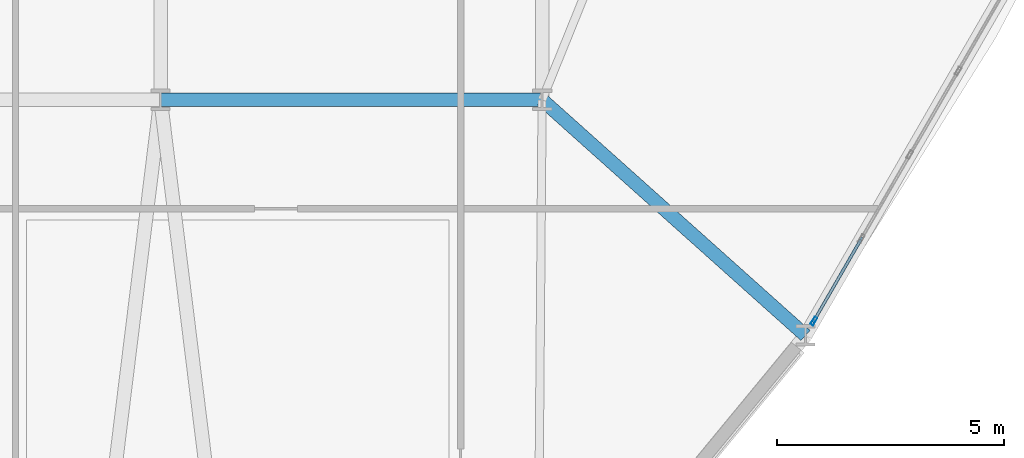
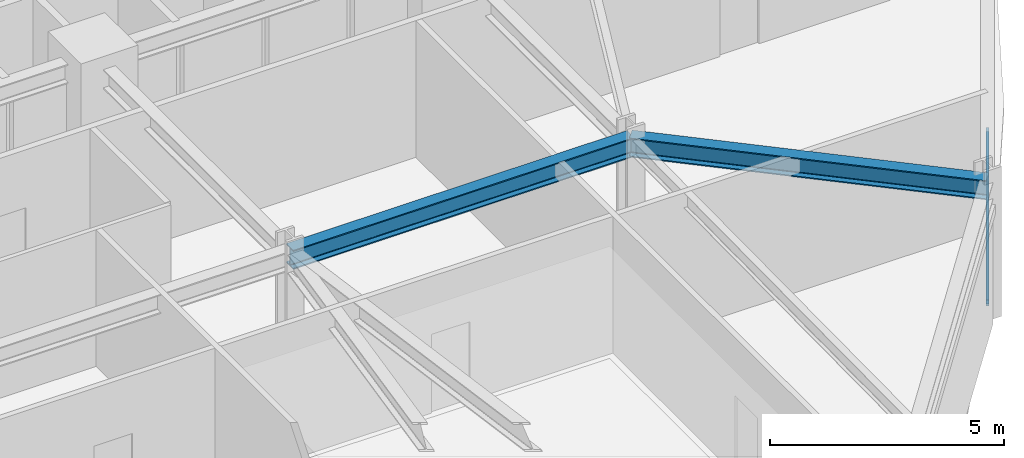
# One storey, part 6 of 22: 4 members, 2 beams, 1 element without a shape of its own.
"""IFC4 building model written with IfcOpenShell, lengths in metres."""

import ifcopenshell
import ifcopenshell.guid

model = None  # the IFC model being written
_history = None  # IfcOwnerHistory: only IFC2X3 demands one
_inside = {}  # id of a spatial element -> (the spatial element, [elements in it])
_under = {}  # id of a project, library or spatial element -> (it, [spatial elements below it])
_declared = {}  # id of a project -> (the project, [libraries it declares])
_typed = {}  # id of a type object -> (the type object, [elements of that type])
_made_of = {}  # id of a material, layer set ... -> (it, [elements and type objects made of it])


def new_model(schema):
    """Start an empty IFC model of exactly this schema.

    Asked for "IFC4X3", IfcOpenShell would pick the latest addendum, in which some entities
    have other attributes; the version numbers below select the first issue.
    IFC2X3 requires an IfcOwnerHistory on every rooted entity: one is made here for all.
    """
    global model, _history
    if schema == "IFC4X3":
        model = ifcopenshell.file(schema_version=(4, 3, 0, 0))
    else:
        model = ifcopenshell.file(schema=schema)
    _inside.clear()
    _under.clear()
    _declared.clear()
    _typed.clear()
    _made_of.clear()
    _history = None
    if model.schema == "IFC2X3":
        org = make("IfcOrganization", Name="unknown")
        user = make(
            "IfcPersonAndOrganization",
            ThePerson=make("IfcPerson", FamilyName="unknown"),
            TheOrganization=org,
        )
        app = make(
            "IfcApplication",
            ApplicationDeveloper=org,
            Version="unknown",
            ApplicationFullName="unknown",
            ApplicationIdentifier="unknown",
        )
        _history = make(
            "IfcOwnerHistory",
            OwningUser=user,
            OwningApplication=app,
            ChangeAction="ADDED",
            CreationDate=0,
        )
    return model


def make(cls, **values):
    """One entity of the class cls with the attributes given. An attribute that is None is left unset."""
    return model.create_entity(
        cls, **{name: value for name, value in values.items() if value is not None}
    )


def rooted(cls, **values):
    """An entity with a GlobalId (a new one), such as an element, a storey or a relation."""
    return make(cls, GlobalId=ifcopenshell.guid.new(), OwnerHistory=_history, **values)


def si_unit(unit_type, name, prefix=None):
    """IfcSIUnit, for example si_unit("LENGTHUNIT", "METRE", prefix="MILLI")."""
    return make("IfcSIUnit", UnitType=unit_type, Prefix=prefix, Name=name)


def derived_unit(unit_type, elements):
    """IfcDerivedUnit: a product of units, each with its exponent."""
    return make(
        "IfcDerivedUnit",
        Elements=[
            make("IfcDerivedUnitElement", Unit=unit, Exponent=power)
            for unit, power in elements
        ],
        UnitType=unit_type,
    )


def assignment(units):
    """IfcUnitAssignment: the units of a project."""
    return None if units is None else make("IfcUnitAssignment", Units=units)


def point(xyz):
    """IfcCartesianPoint."""
    return None if xyz is None else make("IfcCartesianPoint", Coordinates=xyz)


def direction(xyz):
    """IfcDirection."""
    return None if xyz is None else make("IfcDirection", DirectionRatios=xyz)


def frame(location, z_axis=None, x_axis=None):
    """IfcAxis2Placement3D, a coordinate frame: its origin and axes. An axis left out is left unset."""
    return make(
        "IfcAxis2Placement3D",
        Location=point(location),
        Axis=direction(z_axis),
        RefDirection=direction(x_axis),
    )


def frame_2d(location, x_axis=None):
    """IfcAxis2Placement2D, a coordinate frame in the plane: its origin and x axis."""
    return make(
        "IfcAxis2Placement2D", Location=point(location), RefDirection=direction(x_axis)
    )


def origin():
    """The frame at (0, 0, 0) with its axes left unset."""
    return frame((0.0, 0.0, 0.0))


def origin_2d():
    """The frame at (0, 0) in the plane with its x axis left unset."""
    return frame_2d((0.0, 0.0))


def place(relative_to, where):
    """IfcLocalPlacement: puts the frame where relative to a parent placement (None: the world)."""
    return make(
        "IfcLocalPlacement", PlacementRelTo=relative_to, RelativePlacement=where
    )


def context(
    kind, dimensions, precision=None, world=None, true_north=None, identifier=None
):
    """IfcGeometricRepresentationContext, for example the 3D "Model" context."""
    return make(
        "IfcGeometricRepresentationContext",
        ContextIdentifier=identifier,
        ContextType=kind,
        CoordinateSpaceDimension=dimensions,
        Precision=precision,
        WorldCoordinateSystem=world,
        TrueNorth=true_north,
    )


def subcontext(parent, identifier, kind, view, scale=None):
    """IfcGeometricRepresentationSubContext, for example "Body" below "Model"."""
    return make(
        "IfcGeometricRepresentationSubContext",
        ContextIdentifier=identifier,
        ContextType=kind,
        ParentContext=parent,
        TargetScale=scale,
        TargetView=view,
    )


def project(units=None, contexts=None):
    """IfcProject with its units and contexts."""
    return rooted(
        "IfcProject",
        Name="project",
        RepresentationContexts=contexts,
        UnitsInContext=assignment(units),
    )


def spatial(cls, under=None, at=None, **own):
    """A site, building, storey or space (cls), placed at a placement, below another one or the project."""
    s = rooted(cls, ObjectPlacement=at, **own)
    if under is not None:
        _under.setdefault(under.id(), (under, []))[1].append(s)
    return s


def profile(cls, at=None, kind="AREA", **sizes):
    """A parametric profile (cls). Its sizes go by their IFC names, for example OverallWidth=200.0."""
    return make(cls, ProfileType=kind, Position=at, **sizes)


def hollow_rectangle(**sizes):
    """IfcRectangleHollowProfileDef."""
    return profile("IfcRectangleHollowProfileDef", **sizes)


def i_section(**sizes):
    """IfcIShapeProfileDef."""
    return profile("IfcIShapeProfileDef", **sizes)


def extrude(swept, where, along, depth):
    """IfcExtrudedAreaSolid: the profile swept, set in the frame where, extruded along a direction by depth."""
    return make(
        "IfcExtrudedAreaSolid",
        SweptArea=swept,
        Position=where,
        ExtrudedDirection=direction(along),
        Depth=depth,
    )


def shape(context_of_items, identifier, shape_type, items):
    """IfcShapeRepresentation: the items that make up one representation, for example the "Body"."""
    return make(
        "IfcShapeRepresentation",
        ContextOfItems=context_of_items,
        RepresentationIdentifier=identifier,
        RepresentationType=shape_type,
        Items=items,
    )


def source(mapping_origin, context_of_items, identifier, shape_type, items):
    """IfcRepresentationMap: a shape defined once, which mapped items show again and again."""
    return make(
        "IfcRepresentationMap",
        MappingOrigin=mapping_origin,
        MappedRepresentation=shape(context_of_items, identifier, shape_type, items),
    )


def transform(
    local_origin,
    x_axis=None,
    y_axis=None,
    z_axis=None,
    scale=None,
    scale2=None,
    scale3=None,
    uniform=True,
):
    """IfcCartesianTransformationOperator3D, or its non-uniform kind. x_axis, y_axis, z_axis: its Axis1, 2, 3."""
    if uniform:
        return make(
            "IfcCartesianTransformationOperator3D",
            Axis1=direction(x_axis),
            Axis2=direction(y_axis),
            LocalOrigin=point(local_origin),
            Scale=scale,
            Axis3=direction(z_axis),
        )
    return make(
        "IfcCartesianTransformationOperator3DnonUniform",
        Axis1=direction(x_axis),
        Axis2=direction(y_axis),
        LocalOrigin=point(local_origin),
        Scale=scale,
        Axis3=direction(z_axis),
        Scale2=scale2,
        Scale3=scale3,
    )


def mapped(mapping_source, mapping_target):
    """IfcMappedItem: shows the shape of a source again, moved by a transform."""
    return make(
        "IfcMappedItem", MappingSource=mapping_source, MappingTarget=mapping_target
    )


def material(Name=None, Category=None):
    """IfcMaterial."""
    return make("IfcMaterial", Name=Name, Category=Category)


def layer(
    of_material, thickness, ventilated=None, Name=None, Category=None, Priority=None
):
    """IfcMaterialLayer: one layer of a wall or slab, of a material (None: an air gap)."""
    return make(
        "IfcMaterialLayer",
        Material=of_material,
        LayerThickness=thickness,
        IsVentilated=ventilated,
        Name=Name,
        Category=Category,
        Priority=Priority,
    )


def layer_set(layers, Name=None):
    """IfcMaterialLayerSet."""
    return make("IfcMaterialLayerSet", MaterialLayers=layers, LayerSetName=Name)


def material_profile(
    of_material, cross_section, Name=None, Category=None, Priority=None
):
    """IfcMaterialProfile: a cross section and its material."""
    return make(
        "IfcMaterialProfile",
        Name=Name,
        Material=of_material,
        Profile=cross_section,
        Priority=Priority,
        Category=Category,
    )


def profile_set(profiles, Name=None, composite=None):
    """IfcMaterialProfileSet."""
    return make(
        "IfcMaterialProfileSet",
        Name=Name,
        MaterialProfiles=profiles,
        CompositeProfile=composite,
    )


def made_of(thing, what):
    """Note that an element or type object is made of a material, layer set ...; save() writes the relation."""
    if what is not None:
        _made_of.setdefault(what.id(), (what, []))[1].append(thing)
    return thing


def type_object(cls, material=None, **own):
    """A type object (cls), such as IfcWallType, which elements share."""
    return made_of(rooted(cls, **own), material)


def element(
    cls,
    number,
    at=None,
    inside=None,
    cuts=None,
    type_object=None,
    material=None,
    context=None,
    identifier="Body",
    shape_type=None,
    held_by="IfcProductDefinitionShape",
    body=None,
    shapes=None,
    **own,
):
    """One element of the class cls, such as IfcWall. Its Tag is "e" and its number.

    at: its placement. inside: the storey or other place that contains it. cuts: it is an
    opening in that element (IfcRelVoidsElement). A single representation is given by context,
    identifier, shape_type and body (its items); several are given by shapes. held_by: the class
    of the entity that holds the representations. save() writes the other relations.
    """
    e = rooted(cls, Tag="e%d" % number, ObjectPlacement=at, **own)
    if body is not None:
        shapes = [shape(context, identifier, shape_type, body)]
    if shapes is not None:
        e.Representation = make(held_by, Representations=shapes)
    if inside is not None:
        _inside.setdefault(inside.id(), (inside, []))[1].append(e)
    if cuts is not None:
        rooted(
            "IfcRelVoidsElement", RelatingBuildingElement=cuts, RelatedOpeningElement=e
        )
    if type_object is not None:
        _typed.setdefault(type_object.id(), (type_object, []))[1].append(e)
    return made_of(e, material)


def aggregate(whole, parts):
    """IfcRelAggregates: a whole, such as a stair, and the parts it consists of."""
    return rooted("IfcRelAggregates", RelatingObject=whole, RelatedObjects=parts)


def save(model, path):
    """Write the relations noted so far, then the file.

    IfcRelAggregates (storeys below a building ...), IfcRelContainedInSpatialStructure (elements
    in a storey), IfcRelDefinesByType, IfcRelAssociatesMaterial and IfcRelDeclares: one each for
    every whole, place, type object, material and project.
    """
    for whole, parts in _under.values():
        aggregate(whole, parts)
    for where, things in _inside.values():
        rooted(
            "IfcRelContainedInSpatialStructure",
            RelatedElements=things,
            RelatingStructure=where,
        )
    for kind, things in _typed.values():
        rooted("IfcRelDefinesByType", RelatedObjects=things, RelatingType=kind)
    for what, things in _made_of.values():
        rooted("IfcRelAssociatesMaterial", RelatedObjects=things, RelatingMaterial=what)
    for by, libraries in _declared.values():
        rooted("IfcRelDeclares", RelatingContext=by, RelatedDefinitions=libraries)
    model.write(path)


model = new_model("IFC4")

# Units and contexts
model_context = context("Model", 3, precision=1e-05, world=origin(), true_north=direction((0.0, 1.0)))
body_context = subcontext(model_context, "Body", "Model", "MODEL_VIEW")
ifc_project = project(units=[si_unit("LENGTHUNIT", "METRE"), si_unit("AREAUNIT", "SQUARE_METRE"), si_unit("VOLUMEUNIT", "CUBIC_METRE"), si_unit("PLANEANGLEUNIT", "RADIAN"), si_unit("MASSUNIT", "GRAM", prefix="KILO"), derived_unit("THERMALTRANSMITTANCEUNIT", [(si_unit("POWERUNIT", "WATT"), 1), (si_unit("LENGTHUNIT", "METRE"), -2), (si_unit("THERMODYNAMICTEMPERATUREUNIT", "KELVIN"), -1)])], contexts=[model_context])

# Site, building, storey
site_placement = place(None, origin())
site = spatial("IfcSite", under=ifc_project, at=site_placement, CompositionType="ELEMENT")
building_placement = place(site_placement, origin())
building = spatial("IfcBuilding", under=site, at=building_placement, Name="Korsvarv Bourse and Concert Hall", CompositionType="ELEMENT")
storey_placement = place(building_placement, frame((0.0, 0.0, 55.199951171875)))
storey = spatial("IfcBuildingStorey", under=building, at=storey_placement, Name="L13", CompositionType="ELEMENT", Elevation=55.199951171875)

# Beams
ifc_material_1 = material(Name="Steel S355", Category="steel")
ifc_material_profile_1 = material_profile(ifc_material_1, i_section(OverallWidth=0.300048828125, OverallDepth=0.5, WebThickness=0.014404296875, FlangeThickness=0.028076171875, FilletRadius=0.02392578125, at=origin_2d()), Name="HEB 500")
ifc_profile_set_1 = profile_set([ifc_material_profile_1], Name="Steel S355")
beam_type = type_object("IfcBeamType", Name="BM-HEB500", PredefinedType="BEAM", material=ifc_profile_set_1)
shared_shape_1 = source(origin(), body_context, "Body", "SweptSolid", [
    extrude(i_section(OverallWidth=0.300048828125, OverallDepth=0.5, WebThickness=0.014404296875, FlangeThickness=0.028076171875, FilletRadius=0.02392578125, at=origin_2d()), origin(), (0.0, 0.0, 1.0), 8.39990234375),
])
beam_1_placement = place(storey_placement, frame((36.0, 24.0, 3.31005859375), z_axis=(1.0, 0.0, 0.0), x_axis=(0.0, 1.0, 0.0)))
element("IfcBeam", 1, at=beam_1_placement, inside=storey, type_object=beam_type, Name="L13 beam B-07", PredefinedType="BEAM", context=body_context, shape_type="MappedRepresentation", body=[
    mapped(shared_shape_1, transform((0.0, 0.0, 0.0), scale=1.0)),
])
shared_shape_2 = source(origin(), body_context, "Body", "SweptSolid", [
    extrude(i_section(OverallWidth=0.300048828125, OverallDepth=0.5, WebThickness=0.014404296875, FlangeThickness=0.028076171875, FilletRadius=0.02392578125, at=origin_2d()), origin(), (0.0, 0.0, 1.0), 7.77978515625),
])
beam_2_placement = place(storey_placement, frame((50.198486328125, 18.8134765625, 3.31005859375), z_axis=(-0.745348822667, 0.666674682697, 0.0), x_axis=(-0.666674682697, -0.745348822667, 0.0)))
element("IfcBeam", 2, at=beam_2_placement, inside=storey, type_object=beam_type, Name="L13 beam B-07", PredefinedType="BEAM", context=body_context, shape_type="MappedRepresentation", body=[
    mapped(shared_shape_2, transform((0.0, 0.0, 0.0), scale=1.0)),
])

# Curtain wall, members
ifc_material_2 = material(Name="Anodised aluminium and triple low-E glazing", Category="glass")
ifc_layer = layer(ifc_material_2, 0.219970703125)
ifc_layer_set = layer_set([ifc_layer], Name="Anodised aluminium and triple low-E glazing")
curtain_wall_type = type_object("IfcCurtainWallType", Name="CW-SYS-1", PredefinedType="NOTDEFINED", material=ifc_layer_set)
curtain_wall_placement = place(storey_placement, origin())
curtain_wall = element("IfcCurtainWall", 3, at=curtain_wall_placement, inside=storey, type_object=curtain_wall_type, Name="L13 CW1 curtain wall CW-L13-F11", PredefinedType="NOTDEFINED")
ifc_material_3 = material(Name="Extruded aluminium EN AW-6063 T66", Category="aluminium")
ifc_material_profile_2 = material_profile(ifc_material_3, hollow_rectangle(XDim=0.06494140625, YDim=0.139892578125, WallThickness=0.00390625, at=origin_2d()), Name="ALU-T 65x140")
ifc_profile_set_2 = profile_set([ifc_material_profile_2], Name="Extruded aluminium EN AW-6063 T66")
member_type_1 = type_object("IfcMemberType", Name="CWT-140", PredefinedType="USERDEFINED", material=ifc_profile_set_2)
shared_shape_3 = source(origin(), body_context, "Body", "SweptSolid", [
    extrude(hollow_rectangle(XDim=0.06494140625, YDim=0.139892578125, WallThickness=0.00390625, at=origin_2d()), origin(), (0.0, 0.0, 1.0), 2.0244140625),
])
member_1_placement = place(storey_placement, frame((50.399169921875, 19.1611328125, 0.032470703125), z_axis=(0.500004315964, 0.866022911947, 0.0), x_axis=(-0.866022911947, 0.500004315964, 0.0)))
member_1 = element("IfcMember", 4, at=member_1_placement, type_object=member_type_1, Name="CW1 transom 1.1", ObjectType="TRANSOM", PredefinedType="USERDEFINED", context=body_context, shape_type="MappedRepresentation", body=[
    mapped(shared_shape_3, transform((0.0, 0.0, 0.0), scale=1.0)),
])
member_2_placement = place(storey_placement, frame((50.399169921875, 19.1611328125, 3.07763671875), z_axis=(0.500004315964, 0.866022911947, 0.0), x_axis=(-0.866022911947, 0.500004315964, 0.0)))
member_2 = element("IfcMember", 5, at=member_2_placement, type_object=member_type_1, Name="CW1 transom 1.2", ObjectType="TRANSOM", PredefinedType="USERDEFINED", context=body_context, shape_type="MappedRepresentation", body=[
    mapped(shared_shape_3, transform((0.0, 0.0, 0.0), scale=1.0)),
])
ifc_material_profile_3 = material_profile(ifc_material_3, hollow_rectangle(XDim=0.070068359375, YDim=0.18994140625, WallThickness=0.0048828125, at=origin_2d()), Name="ALU-M 70x190")
ifc_profile_set_3 = profile_set([ifc_material_profile_3], Name="Extruded aluminium EN AW-6063 T66")
member_type_2 = type_object("IfcMemberType", Name="CWM-190", PredefinedType="MULLION", material=ifc_profile_set_3)
shared_shape_4 = source(origin(), body_context, "Body", "SweptSolid", [
    extrude(hollow_rectangle(XDim=0.070068359375, YDim=0.18994140625, WallThickness=0.0048828125, at=origin_2d()), origin(), (0.0, 0.0, 1.0), 3.110107421875),
])
member_3_placement = place(storey_placement, frame((50.381591796875, 19.130859375, 0.0), z_axis=(0.0, 0.0, 1.0), x_axis=(-0.866025499647, 0.499999833962, 0.0)))
member_3 = element("IfcMember", 6, at=member_3_placement, type_object=member_type_2, Name="CW1 mullion 1", PredefinedType="MULLION", context=body_context, shape_type="MappedRepresentation", body=[
    mapped(shared_shape_4, transform((0.0, 0.0, 0.0), scale=1.0)),
])
ifc_material_profile_4 = material_profile(ifc_material_3, hollow_rectangle(XDim=0.06494140625, YDim=0.1650390625, WallThickness=0.0048828125, at=origin_2d()), Name="ALU-M 65x165")
ifc_profile_set_4 = profile_set([ifc_material_profile_4], Name="Extruded aluminium EN AW-6063 T66")
member_type_3 = type_object("IfcMemberType", Name="CWM-165", PredefinedType="MULLION", material=ifc_profile_set_4)
shared_shape_5 = source(origin(), body_context, "Body", "SweptSolid", [
    extrude(hollow_rectangle(XDim=0.06494140625, YDim=0.1650390625, WallThickness=0.0048828125, at=origin_2d()), origin(), (0.0, 0.0, 1.0), 3.602783203125),
])
member_4_placement = place(storey_placement, frame((50.399169921875, 19.1611328125, 0.06494140625), z_axis=(0.280952782377, 0.486618892969, 0.8272046827), x_axis=(-0.866022911947, 0.500004315964, 0.0)))
member_4 = element("IfcMember", 7, at=member_4_placement, type_object=member_type_3, Name="CW1 diagonal mullion 1", PredefinedType="MULLION", context=body_context, shape_type="MappedRepresentation", body=[
    mapped(shared_shape_5, transform((0.0, 0.0, 0.0), scale=1.0)),
])
aggregate(curtain_wall, [member_3, member_1, member_2, member_4])

save(model, "model.ifc")
